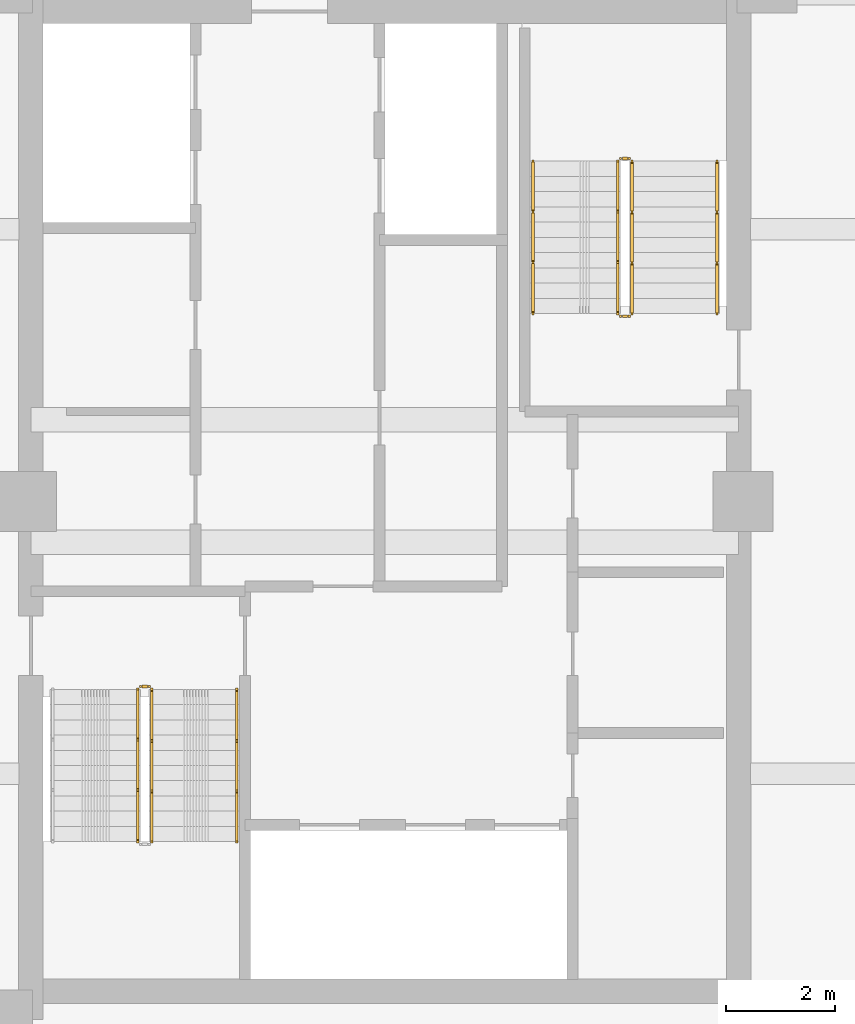
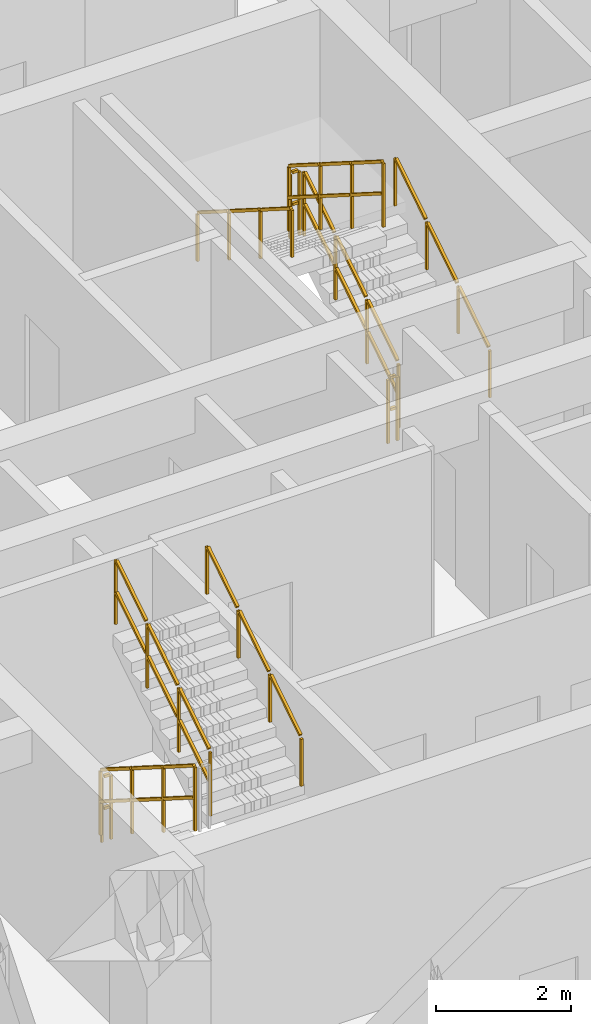
# One storey, part 11 of 13: 10 railings.
"""IFC4 building model written with IfcOpenShell, lengths in metres."""

from ifc_helpers import new_model, si_unit, direction, frame, origin, origin_2d, place, context, subcontext, project, spatial, rectangle, extrude, material, type_object, element, save


model = new_model("IFC4")

# Units and contexts
model_context = context("Model", 3, precision=1e-05, world=origin(), true_north=direction((0.0, 1.0)))
body_context = subcontext(model_context, "Body", "Model", "MODEL_VIEW")
ifc_project = project(units=[si_unit("LENGTHUNIT", "METRE"), si_unit("AREAUNIT", "SQUARE_METRE"), si_unit("VOLUMEUNIT", "CUBIC_METRE"), si_unit("PLANEANGLEUNIT", "RADIAN"), si_unit("MASSUNIT", "GRAM", prefix="KILO")], contexts=[model_context])

# Site, building, storey
site_placement = place(None, origin())
site = spatial("IfcSite", under=ifc_project, at=site_placement, CompositionType="ELEMENT")
building_placement = place(site_placement, origin())
building = spatial("IfcBuilding", under=site, at=building_placement, Name="Saelheon Loggia Tower", CompositionType="ELEMENT")
storey_placement = place(building_placement, frame((0.0, 0.0, 172.89990234375)))
storey = spatial("IfcBuildingStorey", under=building, at=storey_placement, Name="L54", CompositionType="ELEMENT", Elevation=172.89990234375)

# Railings
ifc_material_1 = material(Name="Galvanised Steel S275 Stairwell Guardrail", Category="steel")
railing_type_1 = type_object("IfcRailingType", Name="Guard_StairWell_RL_STG", PredefinedType="GUARDRAIL", material=ifc_material_1)
railing_1_placement = place(storey_placement, frame((33.4599609375, 23.550048828125, 0.177490234375)))
element("IfcRailing", 1, at=railing_1_placement, inside=storey, type_object=railing_type_1, Name="L54 ST1 stair guard 1", PredefinedType="GUARDRAIL", context=body_context, shape_type="SweptSolid", body=[
    extrude(rectangle(XDim=0.048095703125, YDim=0.048095703125, at=origin_2d()), frame((0.0, -0.028076171875, 1.193603515625), z_axis=(0.0, -0.844908973607, 0.534910110503), x_axis=(1.0, 0.0, 0.0)), (0.0, 0.0, 1.0), 1.0380859375),
    extrude(rectangle(XDim=0.048095703125, YDim=0.048095703125, at=origin_2d()), frame((0.0, -0.028076171875, 0.61767578125), z_axis=(0.0, -0.844908973607, 0.534910110503), x_axis=(1.0, 0.0, 0.0)), (0.0, 0.0, 1.0), 1.0380859375),
    extrude(rectangle(XDim=0.048095703125, YDim=0.048095703125, at=origin_2d()), frame((0.0, -0.96142578125, 1.78466796875), z_axis=(0.0, -0.844908973607, 0.534910110503), x_axis=(1.0, 0.0, 0.0)), (0.0, 0.0, 1.0), 1.0380859375),
    extrude(rectangle(XDim=0.048095703125, YDim=0.048095703125, at=origin_2d()), frame((0.0, -0.96142578125, 1.208740234375), z_axis=(0.0, -0.844908973607, 0.534910110503), x_axis=(1.0, 0.0, 0.0)), (0.0, 0.0, 1.0), 1.0380859375),
    extrude(rectangle(XDim=0.048095703125, YDim=0.048095703125, at=origin_2d()), frame((0.0, -1.894775390625, 2.37548828125), z_axis=(0.0, -0.844908973607, 0.534910110503), x_axis=(1.0, 0.0, 0.0)), (0.0, 0.0, 1.0), 1.0380859375),
    extrude(rectangle(XDim=0.048095703125, YDim=0.048095703125, at=origin_2d()), frame((0.0, -1.894775390625, 1.799560546875), z_axis=(0.0, -0.844908973607, 0.534910110503), x_axis=(1.0, 0.0, 0.0)), (0.0, 0.0, 1.0), 1.0380859375),
    extrude(rectangle(XDim=0.0419921875, YDim=0.0419921875, at=origin_2d()), origin(), (0.0, 0.0, 1.0), 1.14794921875),
    extrude(rectangle(XDim=0.0419921875, YDim=0.0419921875, at=origin_2d()), frame((0.0, -0.933349609375, 0.5908203125)), (0.0, 0.0, 1.0), 1.14794921875),
    extrude(rectangle(XDim=0.0419921875, YDim=0.0419921875, at=origin_2d()), frame((0.0, -1.86669921875, 1.181884765625)), (0.0, 0.0, 1.0), 1.14794921875),
    extrude(rectangle(XDim=0.0419921875, YDim=0.0419921875, at=origin_2d()), frame((0.0, -2.800048828125, 1.772705078125)), (0.0, 0.0, 1.0), 1.14794921875),
])
railing_2_placement = place(storey_placement, frame((33.719970703125, 20.75, 2.12744140625)))
element("IfcRailing", 2, at=railing_2_placement, inside=storey, type_object=railing_type_1, Name="L54 ST1 stair guard 3", PredefinedType="GUARDRAIL", context=body_context, shape_type="SweptSolid", body=[
    extrude(rectangle(XDim=0.048095703125, YDim=0.048095703125, at=origin_2d()), frame((0.0, 0.028076171875, 1.193603515625), z_axis=(0.0, 0.844908973607, 0.534910110503), x_axis=(-1.0, 0.0, 0.0)), (0.0, 0.0, 1.0), 1.0380859375),
    extrude(rectangle(XDim=0.048095703125, YDim=0.048095703125, at=origin_2d()), frame((0.0, 0.028076171875, 0.61767578125), z_axis=(0.0, 0.844908973607, 0.534910110503), x_axis=(-1.0, 0.0, 0.0)), (0.0, 0.0, 1.0), 1.0380859375),
    extrude(rectangle(XDim=0.048095703125, YDim=0.048095703125, at=origin_2d()), frame((0.0, 0.96142578125, 1.78466796875), z_axis=(0.0, 0.844908973607, 0.534910110503), x_axis=(-1.0, 0.0, 0.0)), (0.0, 0.0, 1.0), 1.0380859375),
    extrude(rectangle(XDim=0.048095703125, YDim=0.048095703125, at=origin_2d()), frame((0.0, 0.96142578125, 1.208740234375), z_axis=(0.0, 0.844908973607, 0.534910110503), x_axis=(-1.0, 0.0, 0.0)), (0.0, 0.0, 1.0), 1.0380859375),
    extrude(rectangle(XDim=0.048095703125, YDim=0.048095703125, at=origin_2d()), frame((0.0, 1.894775390625, 2.37548828125), z_axis=(0.0, 0.844908973607, 0.534910110503), x_axis=(-1.0, 0.0, 0.0)), (0.0, 0.0, 1.0), 1.0380859375),
    extrude(rectangle(XDim=0.048095703125, YDim=0.048095703125, at=origin_2d()), frame((0.0, 1.894775390625, 1.799560546875), z_axis=(0.0, 0.844908973607, 0.534910110503), x_axis=(-1.0, 0.0, 0.0)), (0.0, 0.0, 1.0), 1.0380859375),
    extrude(rectangle(XDim=0.0419921875, YDim=0.0419921875, at=origin_2d()), origin(), (0.0, 0.0, 1.0), 1.14794921875),
    extrude(rectangle(XDim=0.0419921875, YDim=0.0419921875, at=origin_2d()), frame((0.0, 0.933349609375, 0.5908203125)), (0.0, 0.0, 1.0), 1.14794921875),
    extrude(rectangle(XDim=0.0419921875, YDim=0.0419921875, at=origin_2d()), frame((0.0, 1.86669921875, 1.181884765625)), (0.0, 0.0, 1.0), 1.14794921875),
    extrude(rectangle(XDim=0.0419921875, YDim=0.0419921875, at=origin_2d()), frame((0.0, 2.800048828125, 1.772705078125)), (0.0, 0.0, 1.0), 1.14794921875),
])
railing_3_placement = place(storey_placement, frame((33.510009765625, 23.60009765625, 0.0)))
element("IfcRailing", 3, at=railing_3_placement, inside=storey, type_object=railing_type_1, Name="L54 ST1 stair guard 4", PredefinedType="GUARDRAIL", context=body_context, shape_type="SweptSolid", body=[
    extrude(rectangle(XDim=0.048095703125, YDim=0.048095703125, at=origin_2d()), frame((0.033203125, 0.0, 1.17578125), z_axis=(1.0, 0.0, 0.0), x_axis=(0.0, 1.0, 0.0)), (0.0, 0.0, 1.0), 0.093505859375),
    extrude(rectangle(XDim=0.048095703125, YDim=0.048095703125, at=origin_2d()), frame((0.033203125, 0.0, 0.60009765625), z_axis=(1.0, 0.0, 0.0), x_axis=(0.0, 1.0, 0.0)), (0.0, 0.0, 1.0), 0.093505859375),
    extrude(rectangle(XDim=0.0419921875, YDim=0.0419921875, at=origin_2d()), origin(), (0.0, 0.0, 1.0), 1.14794921875),
    extrude(rectangle(XDim=0.0419921875, YDim=0.0419921875, at=origin_2d()), frame((0.159912109375, 0.0, 0.0)), (0.0, 0.0, 1.0), 1.14794921875),
])
railing_4_placement = place(storey_placement, frame((42.5400390625, 30.449951171875, 0.177490234375)))
element("IfcRailing", 4, at=railing_4_placement, inside=storey, type_object=railing_type_1, Name="L54 ST2 stair guard 1", PredefinedType="GUARDRAIL", context=body_context, shape_type="SweptSolid", body=[
    extrude(rectangle(XDim=0.048095703125, YDim=0.048095703125, at=origin_2d()), frame((0.0, 0.028076171875, 1.193603515625), z_axis=(0.0, 0.844908973607, 0.534910110503), x_axis=(-1.0, 0.0, 0.0)), (0.0, 0.0, 1.0), 1.0380859375),
    extrude(rectangle(XDim=0.048095703125, YDim=0.048095703125, at=origin_2d()), frame((0.0, 0.028076171875, 0.61767578125), z_axis=(0.0, 0.844908973607, 0.534910110503), x_axis=(-1.0, 0.0, 0.0)), (0.0, 0.0, 1.0), 1.0380859375),
    extrude(rectangle(XDim=0.048095703125, YDim=0.048095703125, at=origin_2d()), frame((0.0, 0.96142578125, 1.78466796875), z_axis=(0.0, 0.844908973607, 0.534910110503), x_axis=(-1.0, 0.0, 0.0)), (0.0, 0.0, 1.0), 1.0380859375),
    extrude(rectangle(XDim=0.048095703125, YDim=0.048095703125, at=origin_2d()), frame((0.0, 0.96142578125, 1.208740234375), z_axis=(0.0, 0.844908973607, 0.534910110503), x_axis=(-1.0, 0.0, 0.0)), (0.0, 0.0, 1.0), 1.0380859375),
    extrude(rectangle(XDim=0.048095703125, YDim=0.048095703125, at=origin_2d()), frame((0.0, 1.894775390625, 2.37548828125), z_axis=(0.0, 0.844908973607, 0.534910110503), x_axis=(-1.0, 0.0, 0.0)), (0.0, 0.0, 1.0), 1.0380859375),
    extrude(rectangle(XDim=0.048095703125, YDim=0.048095703125, at=origin_2d()), frame((0.0, 1.894775390625, 1.799560546875), z_axis=(0.0, 0.844908973607, 0.534910110503), x_axis=(-1.0, 0.0, 0.0)), (0.0, 0.0, 1.0), 1.0380859375),
    extrude(rectangle(XDim=0.0419921875, YDim=0.0419921875, at=origin_2d()), origin(), (0.0, 0.0, 1.0), 1.14794921875),
    extrude(rectangle(XDim=0.0419921875, YDim=0.0419921875, at=origin_2d()), frame((0.0, 0.933349609375, 0.5908203125)), (0.0, 0.0, 1.0), 1.14794921875),
    extrude(rectangle(XDim=0.0419921875, YDim=0.0419921875, at=origin_2d()), frame((0.0, 1.86669921875, 1.181884765625)), (0.0, 0.0, 1.0), 1.14794921875),
    extrude(rectangle(XDim=0.0419921875, YDim=0.0419921875, at=origin_2d()), frame((0.0, 2.800048828125, 1.772705078125)), (0.0, 0.0, 1.0), 1.14794921875),
])
railing_5_placement = place(storey_placement, frame((42.489990234375, 33.300048828125, 1.9501953125)))
element("IfcRailing", 5, at=railing_5_placement, inside=storey, type_object=railing_type_1, Name="L54 ST2 stair guard 2", PredefinedType="GUARDRAIL", context=body_context, shape_type="SweptSolid", body=[
    extrude(rectangle(XDim=0.048095703125, YDim=0.048095703125, at=origin_2d()), frame((-0.033203125, 0.0, 1.17578125), z_axis=(-1.0, 0.0, 0.0), x_axis=(0.0, -1.0, 0.0)), (0.0, 0.0, 1.0), 0.093505859375),
    extrude(rectangle(XDim=0.048095703125, YDim=0.048095703125, at=origin_2d()), frame((-0.033203125, 0.0, 0.60009765625), z_axis=(-1.0, 0.0, 0.0), x_axis=(0.0, -1.0, 0.0)), (0.0, 0.0, 1.0), 0.093505859375),
    extrude(rectangle(XDim=0.0419921875, YDim=0.0419921875, at=origin_2d()), origin(), (0.0, 0.0, 1.0), 1.14794921875),
    extrude(rectangle(XDim=0.0419921875, YDim=0.0419921875, at=origin_2d()), frame((-0.159912109375, 0.0, 0.0)), (0.0, 0.0, 1.0), 1.14794921875),
])
railing_6_placement = place(storey_placement, frame((42.280029296875, 33.25, 2.12744140625)))
element("IfcRailing", 6, at=railing_6_placement, inside=storey, type_object=railing_type_1, Name="L54 ST2 stair guard 3", PredefinedType="GUARDRAIL", context=body_context, shape_type="SweptSolid", body=[
    extrude(rectangle(XDim=0.048095703125, YDim=0.048095703125, at=origin_2d()), frame((0.0, -0.028076171875, 1.193603515625), z_axis=(0.0, -0.844908973607, 0.534910110503), x_axis=(1.0, 0.0, 0.0)), (0.0, 0.0, 1.0), 1.0380859375),
    extrude(rectangle(XDim=0.048095703125, YDim=0.048095703125, at=origin_2d()), frame((0.0, -0.028076171875, 0.61767578125), z_axis=(0.0, -0.844908973607, 0.534910110503), x_axis=(1.0, 0.0, 0.0)), (0.0, 0.0, 1.0), 1.0380859375),
    extrude(rectangle(XDim=0.048095703125, YDim=0.048095703125, at=origin_2d()), frame((0.0, -0.96142578125, 1.78466796875), z_axis=(0.0, -0.844908973607, 0.534910110503), x_axis=(1.0, 0.0, 0.0)), (0.0, 0.0, 1.0), 1.0380859375),
    extrude(rectangle(XDim=0.048095703125, YDim=0.048095703125, at=origin_2d()), frame((0.0, -0.96142578125, 1.208740234375), z_axis=(0.0, -0.844908973607, 0.534910110503), x_axis=(1.0, 0.0, 0.0)), (0.0, 0.0, 1.0), 1.0380859375),
    extrude(rectangle(XDim=0.048095703125, YDim=0.048095703125, at=origin_2d()), frame((0.0, -1.894775390625, 2.37548828125), z_axis=(0.0, -0.844908973607, 0.534910110503), x_axis=(1.0, 0.0, 0.0)), (0.0, 0.0, 1.0), 1.0380859375),
    extrude(rectangle(XDim=0.048095703125, YDim=0.048095703125, at=origin_2d()), frame((0.0, -1.894775390625, 1.799560546875), z_axis=(0.0, -0.844908973607, 0.534910110503), x_axis=(1.0, 0.0, 0.0)), (0.0, 0.0, 1.0), 1.0380859375),
    extrude(rectangle(XDim=0.0419921875, YDim=0.0419921875, at=origin_2d()), origin(), (0.0, 0.0, 1.0), 1.14794921875),
    extrude(rectangle(XDim=0.0419921875, YDim=0.0419921875, at=origin_2d()), frame((0.0, -0.933349609375, 0.5908203125)), (0.0, 0.0, 1.0), 1.14794921875),
    extrude(rectangle(XDim=0.0419921875, YDim=0.0419921875, at=origin_2d()), frame((0.0, -1.86669921875, 1.181884765625)), (0.0, 0.0, 1.0), 1.14794921875),
    extrude(rectangle(XDim=0.0419921875, YDim=0.0419921875, at=origin_2d()), frame((0.0, -2.800048828125, 1.772705078125)), (0.0, 0.0, 1.0), 1.14794921875),
])
railing_7_placement = place(storey_placement, frame((42.489990234375, 30.39990234375, 0.0)))
element("IfcRailing", 7, at=railing_7_placement, inside=storey, type_object=railing_type_1, Name="L54 ST2 stair guard 4", PredefinedType="GUARDRAIL", context=body_context, shape_type="SweptSolid", body=[
    extrude(rectangle(XDim=0.048095703125, YDim=0.048095703125, at=origin_2d()), frame((-0.033203125, 0.0, 1.17578125), z_axis=(-1.0, 0.0, 0.0), x_axis=(0.0, -1.0, 0.0)), (0.0, 0.0, 1.0), 0.093505859375),
    extrude(rectangle(XDim=0.048095703125, YDim=0.048095703125, at=origin_2d()), frame((-0.033203125, 0.0, 0.60009765625), z_axis=(-1.0, 0.0, 0.0), x_axis=(0.0, -1.0, 0.0)), (0.0, 0.0, 1.0), 0.093505859375),
    extrude(rectangle(XDim=0.0419921875, YDim=0.0419921875, at=origin_2d()), origin(), (0.0, 0.0, 1.0), 1.14794921875),
    extrude(rectangle(XDim=0.0419921875, YDim=0.0419921875, at=origin_2d()), frame((-0.159912109375, 0.0, 0.0)), (0.0, 0.0, 1.0), 1.14794921875),
])
ifc_material_2 = material(Name="Stainless Steel 304 Tubular Handrail", Category="steel")
railing_type_2 = type_object("IfcRailingType", Name="Handrail_Stair_RL_HR1", PredefinedType="HANDRAIL", material=ifc_material_2)
for number, where, name in (
    (8, (35.280029296875, 20.75, 2.12744140625), "L54 ST1 stair handrail 2"),
    (9, (44.10009765625, 30.449951171875, 0.177490234375), "L54 ST2 stair handrail 1"),
):
    element("IfcRailing", number, at=place(storey_placement, frame(where)), inside=storey, type_object=railing_type_2, Name=name, PredefinedType="HANDRAIL", context=body_context, shape_type="SweptSolid", body=[
        extrude(rectangle(XDim=0.048095703125, YDim=0.048095703125, at=origin_2d()), frame((0.0, 0.028076171875, 0.8935546875), z_axis=(0.0, 0.844908973607, 0.534910110503), x_axis=(-1.0, 0.0, 0.0)), (0.0, 0.0, 1.0), 1.0380859375),
        extrude(rectangle(XDim=0.048095703125, YDim=0.048095703125, at=origin_2d()), frame((0.0, 0.96142578125, 1.484619140625), z_axis=(0.0, 0.844908973607, 0.534910110503), x_axis=(-1.0, 0.0, 0.0)), (0.0, 0.0, 1.0), 1.0380859375),
        extrude(rectangle(XDim=0.048095703125, YDim=0.048095703125, at=origin_2d()), frame((0.0, 1.894775390625, 2.075439453125), z_axis=(0.0, 0.844908973607, 0.534910110503), x_axis=(-1.0, 0.0, 0.0)), (0.0, 0.0, 1.0), 1.0380859375),
        extrude(rectangle(XDim=0.0419921875, YDim=0.0419921875, at=origin_2d()), origin(), (0.0, 0.0, 1.0), 0.847900390625),
        extrude(rectangle(XDim=0.0419921875, YDim=0.0419921875, at=origin_2d()), frame((0.0, 0.933349609375, 0.5908203125)), (0.0, 0.0, 1.0), 0.847900390625),
        extrude(rectangle(XDim=0.0419921875, YDim=0.0419921875, at=origin_2d()), frame((0.0, 1.86669921875, 1.181884765625)), (0.0, 0.0, 1.0), 0.847900390625),
        extrude(rectangle(XDim=0.0419921875, YDim=0.0419921875, at=origin_2d()), frame((0.0, 2.800048828125, 1.772705078125)), (0.0, 0.0, 1.0), 0.847900390625),
    ])
railing_8_placement = place(storey_placement, frame((40.719970703125, 33.25, 2.12744140625)))
element("IfcRailing", 10, at=railing_8_placement, inside=storey, type_object=railing_type_2, Name="L54 ST2 stair handrail 2", PredefinedType="HANDRAIL", context=body_context, shape_type="SweptSolid", body=[
    extrude(rectangle(XDim=0.048095703125, YDim=0.048095703125, at=origin_2d()), frame((0.0, -0.028076171875, 0.8935546875), z_axis=(0.0, -0.844908973607, 0.534910110503), x_axis=(1.0, 0.0, 0.0)), (0.0, 0.0, 1.0), 1.0380859375),
    extrude(rectangle(XDim=0.048095703125, YDim=0.048095703125, at=origin_2d()), frame((0.0, -0.96142578125, 1.484619140625), z_axis=(0.0, -0.844908973607, 0.534910110503), x_axis=(1.0, 0.0, 0.0)), (0.0, 0.0, 1.0), 1.0380859375),
    extrude(rectangle(XDim=0.048095703125, YDim=0.048095703125, at=origin_2d()), frame((0.0, -1.894775390625, 2.075439453125), z_axis=(0.0, -0.844908973607, 0.534910110503), x_axis=(1.0, 0.0, 0.0)), (0.0, 0.0, 1.0), 1.0380859375),
    extrude(rectangle(XDim=0.0419921875, YDim=0.0419921875, at=origin_2d()), origin(), (0.0, 0.0, 1.0), 0.847900390625),
    extrude(rectangle(XDim=0.0419921875, YDim=0.0419921875, at=origin_2d()), frame((0.0, -0.933349609375, 0.5908203125)), (0.0, 0.0, 1.0), 0.847900390625),
    extrude(rectangle(XDim=0.0419921875, YDim=0.0419921875, at=origin_2d()), frame((0.0, -1.86669921875, 1.181884765625)), (0.0, 0.0, 1.0), 0.847900390625),
    extrude(rectangle(XDim=0.0419921875, YDim=0.0419921875, at=origin_2d()), frame((0.0, -2.800048828125, 1.772705078125)), (0.0, 0.0, 1.0), 0.847900390625),
])

save(model, "model.ifc")
